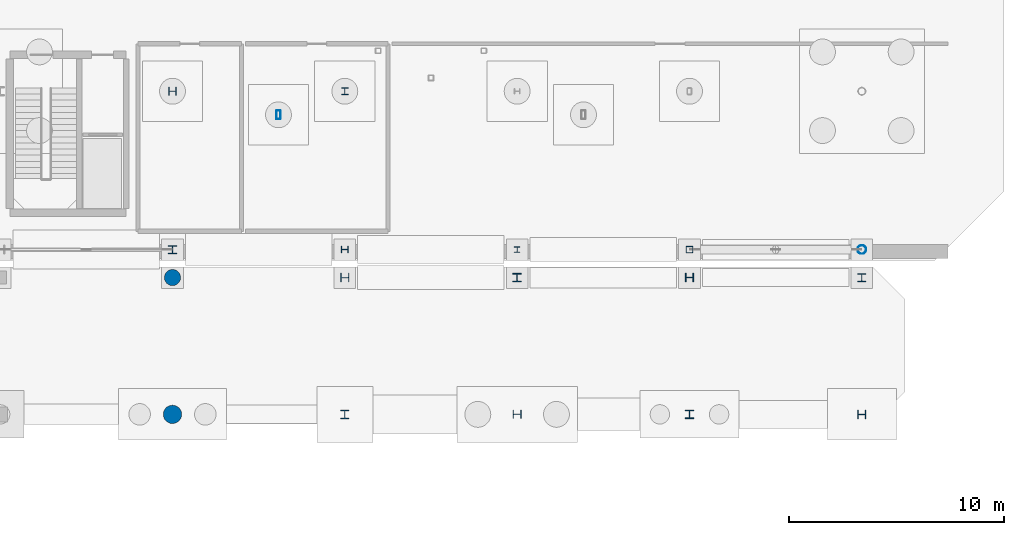
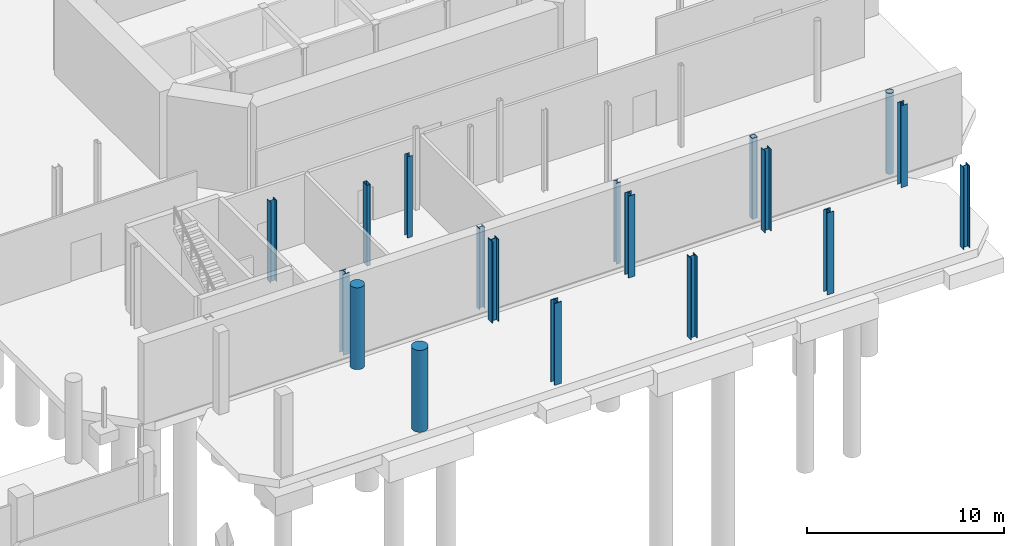
# One storey, part 9 of 33: 18 columns.
"""IFC4 building model written with IfcOpenShell, lengths in metres."""

from ifc_helpers import new_model, si_unit, direction, frame, origin, origin_2d, place, context, subcontext, project, spatial, hollow_rectangle, circle, hollow_circle, i_section, extrude, material, material_profile, profile_set, type_object, element, save


model = new_model("IFC4")

# Units and contexts
model_context = context("Model", 3, precision=1e-05, world=origin(), true_north=direction((0.0, 1.0)))
body_context = subcontext(model_context, "Body", "Model", "MODEL_VIEW")
ifc_project = project(units=[si_unit("LENGTHUNIT", "METRE"), si_unit("AREAUNIT", "SQUARE_METRE"), si_unit("VOLUMEUNIT", "CUBIC_METRE"), si_unit("PLANEANGLEUNIT", "RADIAN"), si_unit("MASSUNIT", "GRAM", prefix="KILO")], contexts=[model_context])

# Site, building, storey
site_placement = place(None, origin())
site = spatial("IfcSite", under=ifc_project, at=site_placement, CompositionType="ELEMENT")
building_placement = place(site_placement, origin())
building = spatial("IfcBuilding", under=site, at=building_placement, Name="Brisemont Oceanarium", CompositionType="ELEMENT")
storey_placement = place(building_placement, frame((0.0, 0.0, -5.39990234375)))
storey = spatial("IfcBuildingStorey", under=building, at=storey_placement, Name="B01", CompositionType="ELEMENT", Elevation=-5.39990234375)

# Columns
ifc_material_1 = material(Name="Structural Steel ASTM A500 Gr.C", Category="steel")
ifc_material_profile_1 = material_profile(ifc_material_1, hollow_circle(Radius=0.202880859375, WallThickness=0.01171875, at=origin_2d()), Name="HSS16.000X0.500")
ifc_profile_set_1 = profile_set([ifc_material_profile_1], Name="Structural Steel ASTM A500 Gr.C")
column_type_1 = type_object("IfcColumnType", Name="COL-CHS16", PredefinedType="COLUMN", material=ifc_profile_set_1)
column_1_placement = place(storey_placement, frame((104.0, 32.64990234375, 0.0), z_axis=(0.0, 0.0, 1.0), x_axis=(1.0, 0.0, 0.0)))
element("IfcColumn", 1, at=column_1_placement, inside=storey, type_object=column_type_1, Name="V1 B01 column (6,0)", PredefinedType="COLUMN", context=body_context, shape_type="SweptSolid", body=[
    extrude(hollow_circle(Radius=0.202880859375, WallThickness=0.01171875, at=origin_2d()), origin(), (0.0, 0.0, 1.0), 5.039794921875),
])
ifc_material_2 = material(Name="Structural Steel ASTM A500 Gr.C", Category="steel")
ifc_material_profile_2 = material_profile(ifc_material_2, hollow_rectangle(XDim=0.304931640625, YDim=0.304931640625, WallThickness=0.01171875, InnerFilletRadius=0.01220703125, OuterFilletRadius=0.02392578125, at=origin_2d()), Name="HSS12X12X1/2")
ifc_profile_set_2 = profile_set([ifc_material_profile_2], Name="Structural Steel ASTM A500 Gr.C")
column_type_2 = type_object("IfcColumnType", Name="COL-HSS12X12", PredefinedType="COLUMN", material=ifc_profile_set_2)
column_2_placement = place(storey_placement, frame((96.0, 32.64990234375, 0.0), z_axis=(0.0, 0.0, 1.0), x_axis=(0.0, 1.0, 0.0)))
element("IfcColumn", 2, at=column_2_placement, inside=storey, type_object=column_type_2, Name="V1 B01 column (5,0)", PredefinedType="COLUMN", context=body_context, shape_type="SweptSolid", body=[
    extrude(hollow_rectangle(XDim=0.304931640625, YDim=0.304931640625, WallThickness=0.01171875, InnerFilletRadius=0.01220703125, OuterFilletRadius=0.02392578125, at=origin_2d()), origin(), (0.0, 0.0, 1.0), 5.039794921875),
])
ifc_material_3 = material(Name="Structural Steel ASTM A500 Gr.C", Category="steel")
ifc_material_profile_3 = material_profile(ifc_material_3, hollow_rectangle(XDim=0.202880859375, YDim=0.406005859375, WallThickness=0.01171875, InnerFilletRadius=0.01220703125, OuterFilletRadius=0.02392578125, at=origin_2d()), Name="HSS16X8X1/2")
ifc_profile_set_3 = profile_set([ifc_material_profile_3], Name="Structural Steel ASTM A500 Gr.C")
column_type_3 = type_object("IfcColumnType", Name="COL-HSS16X8", PredefinedType="COLUMN", material=ifc_profile_set_3)
column_3_placement = place(storey_placement, frame((76.92041015625, 38.908203125, 0.0), z_axis=(0.0, 0.0, 1.0), x_axis=(1.0, 0.0, 0.0)))
element("IfcColumn", 3, at=column_3_placement, inside=storey, type_object=column_type_3, Name="V1 dome drum pier B01.6", PredefinedType="COLUMN", context=body_context, shape_type="SweptSolid", body=[
    extrude(hollow_rectangle(XDim=0.202880859375, YDim=0.406005859375, WallThickness=0.01171875, InnerFilletRadius=0.01220703125, OuterFilletRadius=0.02392578125, at=origin_2d()), origin(), (0.0, 0.0, 1.0), 5.02001953125),
])
ifc_material_4 = material(Name="Concrete C40/50", Category="concrete")
ifc_material_profile_4 = material_profile(ifc_material_4, circle(Radius=0.375, at=origin_2d()), Name="RC-COL-D750")
ifc_profile_set_4 = profile_set([ifc_material_profile_4], Name="Concrete C40/50")
column_type_4 = type_object("IfcColumnType", Name="COL-RCD750", PredefinedType="COLUMN", material=ifc_profile_set_4)
column_4_placement = place(storey_placement, frame((72.0, 31.35009765625, 0.0), z_axis=(0.0, 0.0, 1.0), x_axis=(1.0, 0.0, 0.0)))
element("IfcColumn", 4, at=column_4_placement, inside=storey, type_object=column_type_4, Name="V1P B01 column (1,1)", PredefinedType="COLUMN", context=body_context, shape_type="SweptSolid", body=[
    extrude(circle(Radius=0.375, at=origin_2d()), origin(), (0.0, 0.0, 1.0), 5.079833984375),
])
ifc_material_5 = material(Name="Concrete C40/50", Category="concrete")
ifc_material_profile_5 = material_profile(ifc_material_5, circle(Radius=0.425048828125, at=origin_2d()), Name="RC-COL-D850")
ifc_profile_set_5 = profile_set([ifc_material_profile_5], Name="Concrete C40/50")
column_type_5 = type_object("IfcColumnType", Name="COL-RCD850", PredefinedType="COLUMN", material=ifc_profile_set_5)
column_5_placement = place(storey_placement, frame((72.0, 25.0, 0.0), z_axis=(0.0, 0.0, 1.0), x_axis=(0.0, 1.0, 0.0)))
element("IfcColumn", 5, at=column_5_placement, inside=storey, type_object=column_type_5, Name="V1P B01 column (1,0)", PredefinedType="COLUMN", context=body_context, shape_type="SweptSolid", body=[
    extrude(circle(Radius=0.425048828125, at=origin_2d()), origin(), (0.0, 0.0, 1.0), 5.079833984375),
])
ifc_material_6 = material(Name="Structural Steel ASTM A992 Gr.50", Category="steel")
ifc_material_profile_6 = material_profile(ifc_material_6, i_section(OverallWidth=0.256103515625, OverallDepth=0.260009765625, WebThickness=0.0107421875, FlangeThickness=0.017333984375, FilletRadius=0.010986328125, at=origin_2d()), Name="W10X60")
ifc_profile_set_6 = profile_set([ifc_material_profile_6], Name="Structural Steel ASTM A992 Gr.50")
column_type_6 = type_object("IfcColumnType", Name="COL-W10X60", PredefinedType="COLUMN", material=ifc_profile_set_6)
column_6_placement = place(storey_placement, frame((88.0, 32.64990234375, 0.0), z_axis=(0.0, 0.0, 1.0), x_axis=(1.0, 0.0, 0.0)))
element("IfcColumn", 6, at=column_6_placement, inside=storey, type_object=column_type_6, Name="V1 B01 column (4,0)", PredefinedType="COLUMN", context=body_context, shape_type="SweptSolid", body=[
    extrude(i_section(OverallWidth=0.256103515625, OverallDepth=0.260009765625, WebThickness=0.0107421875, FlangeThickness=0.017333984375, FilletRadius=0.010986328125, at=origin_2d()), origin(), (0.0, 0.0, 1.0), 5.039794921875),
])
ifc_material_7 = material(Name="Structural Steel ASTM A992 Gr.50", Category="steel")
ifc_material_profile_7 = material_profile(ifc_material_7, i_section(OverallWidth=0.306884765625, OverallDepth=0.31494140625, WebThickness=0.011962890625, FlangeThickness=0.018798828125, FilletRadius=0.012939453125, at=origin_2d()), Name="W12X79")
ifc_profile_set_7 = profile_set([ifc_material_profile_7], Name="Structural Steel ASTM A992 Gr.50")
column_type_7 = type_object("IfcColumnType", Name="COL-W12X79", PredefinedType="COLUMN", material=ifc_profile_set_7)
column_7_placement = place(storey_placement, frame((80.0, 40.0, 0.0), z_axis=(0.0, 0.0, 1.0), x_axis=(1.0, 0.0, 0.0)))
element("IfcColumn", 7, at=column_7_placement, inside=storey, type_object=column_type_7, Name="V1 B01 column (3,1)", PredefinedType="COLUMN", context=body_context, shape_type="SweptSolid", body=[
    extrude(i_section(OverallWidth=0.306884765625, OverallDepth=0.31494140625, WebThickness=0.011962890625, FlangeThickness=0.018798828125, FilletRadius=0.012939453125, at=origin_2d()), origin(), (0.0, 0.0, 1.0), 5.039794921875),
])
ifc_material_8 = material(Name="Structural Steel ASTM A992 Gr.50", Category="steel")
ifc_material_profile_8 = material_profile(ifc_material_8, i_section(OverallWidth=0.30810546875, OverallDepth=0.318115234375, WebThickness=0.01318359375, FlangeThickness=0.0205078125, FilletRadius=0.012939453125, at=origin_2d()), Name="W12X87")
ifc_profile_set_8 = profile_set([ifc_material_profile_8], Name="Structural Steel ASTM A992 Gr.50")
column_type_8 = type_object("IfcColumnType", Name="COL-W12X87", PredefinedType="COLUMN", material=ifc_profile_set_8)
column_8_placement = place(storey_placement, frame((80.0, 32.64990234375, 0.0), z_axis=(0.0, 0.0, 1.0), x_axis=(0.0, 1.0, 0.0)))
element("IfcColumn", 8, at=column_8_placement, inside=storey, type_object=column_type_8, Name="V1 B01 column (3,0)", PredefinedType="COLUMN", context=body_context, shape_type="SweptSolid", body=[
    extrude(i_section(OverallWidth=0.30810546875, OverallDepth=0.318115234375, WebThickness=0.01318359375, FlangeThickness=0.0205078125, FilletRadius=0.012939453125, at=origin_2d()), origin(), (0.0, 0.0, 1.0), 5.039794921875),
])
ifc_material_9 = material(Name="Structural Steel ASTM A992 Gr.50", Category="steel")
ifc_material_profile_9 = material_profile(ifc_material_9, i_section(OverallWidth=0.37109375, OverallDepth=0.364013671875, WebThickness=0.01318359375, FlangeThickness=0.021728515625, FilletRadius=0.014892578125, at=origin_2d()), Name="W14X109")
ifc_profile_set_9 = profile_set([ifc_material_profile_9], Name="Structural Steel ASTM A992 Gr.50")
column_type_9 = type_object("IfcColumnType", Name="COL-W14X109", PredefinedType="COLUMN", material=ifc_profile_set_9)
column_9_placement = place(storey_placement, frame((72.0, 40.0, 0.0), z_axis=(0.0, 0.0, 1.0), x_axis=(0.0, 1.0, 0.0)))
element("IfcColumn", 9, at=column_9_placement, inside=storey, type_object=column_type_9, Name="V1 B01 column (2,1)", PredefinedType="COLUMN", context=body_context, shape_type="SweptSolid", body=[
    extrude(i_section(OverallWidth=0.37109375, OverallDepth=0.364013671875, WebThickness=0.01318359375, FlangeThickness=0.021728515625, FilletRadius=0.014892578125, at=origin_2d()), origin(), (0.0, 0.0, 1.0), 5.039794921875),
])
ifc_material_10 = material(Name="Structural Steel ASTM A992 Gr.50", Category="steel")
ifc_material_profile_10 = material_profile(ifc_material_10, i_section(OverallWidth=0.373046875, OverallDepth=0.367919921875, WebThickness=0.014892578125, FlangeThickness=0.02392578125, FilletRadius=0.014892578125, at=origin_2d()), Name="W14X120")
ifc_profile_set_10 = profile_set([ifc_material_profile_10], Name="Structural Steel ASTM A992 Gr.50")
column_type_10 = type_object("IfcColumnType", Name="COL-W14X120", PredefinedType="COLUMN", material=ifc_profile_set_10)
column_10_placement = place(storey_placement, frame((72.0, 32.64990234375, 0.0), z_axis=(0.0, 0.0, 1.0), x_axis=(1.0, 0.0, 0.0)))
element("IfcColumn", 10, at=column_10_placement, inside=storey, type_object=column_type_10, Name="V1 B01 column (2,0)", PredefinedType="COLUMN", context=body_context, shape_type="SweptSolid", body=[
    extrude(i_section(OverallWidth=0.373046875, OverallDepth=0.367919921875, WebThickness=0.014892578125, FlangeThickness=0.02392578125, FilletRadius=0.014892578125, at=origin_2d()), origin(), (0.0, 0.0, 1.0), 5.039794921875),
])
ifc_material_11 = material(Name="Structural Steel ASTM A992 Gr.50", Category="steel")
ifc_material_profile_11 = material_profile(ifc_material_11, i_section(OverallWidth=0.3740234375, OverallDepth=0.3720703125, WebThickness=0.016357421875, FlangeThickness=0.026123046875, FilletRadius=0.014892578125, at=origin_2d()), Name="W14X132")
ifc_profile_set_11 = profile_set([ifc_material_profile_11], Name="Structural Steel ASTM A992 Gr.50")
column_type_11 = type_object("IfcColumnType", Name="COL-W14X132", PredefinedType="COLUMN", material=ifc_profile_set_11)
column_11_placement = place(storey_placement, frame((104.0, 31.35009765625, 0.0), z_axis=(0.0, 0.0, 1.0), x_axis=(1.0, 0.0, 0.0)))
element("IfcColumn", 11, at=column_11_placement, inside=storey, type_object=column_type_11, Name="V1P B01 column (5,1)", PredefinedType="COLUMN", context=body_context, shape_type="SweptSolid", body=[
    extrude(i_section(OverallWidth=0.3740234375, OverallDepth=0.3720703125, WebThickness=0.016357421875, FlangeThickness=0.026123046875, FilletRadius=0.014892578125, at=origin_2d()), origin(), (0.0, 0.0, 1.0), 5.079833984375),
])
ifc_material_12 = material(Name="Structural Steel ASTM A992 Gr.50", Category="steel")
ifc_material_profile_12 = material_profile(ifc_material_12, i_section(OverallWidth=0.39404296875, OverallDepth=0.3759765625, WebThickness=0.017333984375, FlangeThickness=0.027587890625, FilletRadius=0.014892578125, at=origin_2d()), Name="W14X145")
ifc_profile_set_12 = profile_set([ifc_material_profile_12], Name="Structural Steel ASTM A992 Gr.50")
column_type_12 = type_object("IfcColumnType", Name="COL-W14X145", PredefinedType="COLUMN", material=ifc_profile_set_12)
column_12_placement = place(storey_placement, frame((104.0, 25.0, 0.0), z_axis=(0.0, 0.0, 1.0), x_axis=(0.0, 1.0, 0.0)))
element("IfcColumn", 12, at=column_12_placement, inside=storey, type_object=column_type_12, Name="V1P B01 column (5,0)", PredefinedType="COLUMN", context=body_context, shape_type="SweptSolid", body=[
    extrude(i_section(OverallWidth=0.39404296875, OverallDepth=0.3759765625, WebThickness=0.017333984375, FlangeThickness=0.027587890625, FilletRadius=0.014892578125, at=origin_2d()), origin(), (0.0, 0.0, 1.0), 5.079833984375),
])
ifc_material_13 = material(Name="Structural Steel ASTM A992 Gr.50", Category="steel")
ifc_material_profile_13 = material_profile(ifc_material_13, i_section(OverallWidth=0.39501953125, OverallDepth=0.3798828125, WebThickness=0.018798828125, FlangeThickness=0.0302734375, FilletRadius=0.014892578125, at=origin_2d()), Name="W14X159")
ifc_profile_set_13 = profile_set([ifc_material_profile_13], Name="Structural Steel ASTM A992 Gr.50")
column_type_13 = type_object("IfcColumnType", Name="COL-W14X159", PredefinedType="COLUMN", material=ifc_profile_set_13)
column_13_placement = place(storey_placement, frame((96.0, 31.35009765625, 0.0), z_axis=(0.0, 0.0, 1.0), x_axis=(0.0, 1.0, 0.0)))
element("IfcColumn", 13, at=column_13_placement, inside=storey, type_object=column_type_13, Name="V1P B01 column (4,1)", PredefinedType="COLUMN", context=body_context, shape_type="SweptSolid", body=[
    extrude(i_section(OverallWidth=0.39501953125, OverallDepth=0.3798828125, WebThickness=0.018798828125, FlangeThickness=0.0302734375, FilletRadius=0.014892578125, at=origin_2d()), origin(), (0.0, 0.0, 1.0), 5.079833984375),
])
ifc_material_14 = material(Name="Structural Steel ASTM A992 Gr.50", Category="steel")
ifc_material_profile_14 = material_profile(ifc_material_14, i_section(OverallWidth=0.39892578125, OverallDepth=0.385986328125, WebThickness=0.02099609375, FlangeThickness=0.033203125, FilletRadius=0.014892578125, at=origin_2d()), Name="W14X176")
ifc_profile_set_14 = profile_set([ifc_material_profile_14], Name="Structural Steel ASTM A992 Gr.50")
column_type_14 = type_object("IfcColumnType", Name="COL-W14X176", PredefinedType="COLUMN", material=ifc_profile_set_14)
column_14_placement = place(storey_placement, frame((96.0, 25.0, 0.0), z_axis=(0.0, 0.0, 1.0), x_axis=(1.0, 0.0, 0.0)))
element("IfcColumn", 14, at=column_14_placement, inside=storey, type_object=column_type_14, Name="V1P B01 column (4,0)", PredefinedType="COLUMN", context=body_context, shape_type="SweptSolid", body=[
    extrude(i_section(OverallWidth=0.39892578125, OverallDepth=0.385986328125, WebThickness=0.02099609375, FlangeThickness=0.033203125, FilletRadius=0.014892578125, at=origin_2d()), origin(), (0.0, 0.0, 1.0), 5.079833984375),
])
ifc_material_15 = material(Name="Structural Steel ASTM A992 Gr.50", Category="steel")
ifc_material_profile_15 = material_profile(ifc_material_15, i_section(OverallWidth=0.39990234375, OverallDepth=0.39306640625, WebThickness=0.022705078125, FlangeThickness=0.03662109375, FilletRadius=0.014892578125, at=origin_2d()), Name="W14X193")
ifc_profile_set_15 = profile_set([ifc_material_profile_15], Name="Structural Steel ASTM A992 Gr.50")
column_type_15 = type_object("IfcColumnType", Name="COL-W14X193", PredefinedType="COLUMN", material=ifc_profile_set_15)
column_15_placement = place(storey_placement, frame((88.0, 31.35009765625, 0.0), z_axis=(0.0, 0.0, 1.0), x_axis=(1.0, 0.0, 0.0)))
element("IfcColumn", 15, at=column_15_placement, inside=storey, type_object=column_type_15, Name="V1P B01 column (3,1)", PredefinedType="COLUMN", context=body_context, shape_type="SweptSolid", body=[
    extrude(i_section(OverallWidth=0.39990234375, OverallDepth=0.39306640625, WebThickness=0.022705078125, FlangeThickness=0.03662109375, FilletRadius=0.014892578125, at=origin_2d()), origin(), (0.0, 0.0, 1.0), 5.079833984375),
])
ifc_material_16 = material(Name="Structural Steel ASTM A992 Gr.50", Category="steel")
ifc_material_profile_16 = material_profile(ifc_material_16, i_section(OverallWidth=0.40087890625, OverallDepth=0.39892578125, WebThickness=0.02490234375, FlangeThickness=0.03955078125, FilletRadius=0.014892578125, at=origin_2d()), Name="W14X211")
ifc_profile_set_16 = profile_set([ifc_material_profile_16], Name="Structural Steel ASTM A992 Gr.50")
column_type_16 = type_object("IfcColumnType", Name="COL-W14X211", PredefinedType="COLUMN", material=ifc_profile_set_16)
column_16_placement = place(storey_placement, frame((88.0, 25.0, 0.0), z_axis=(0.0, 0.0, 1.0), x_axis=(0.0, 1.0, 0.0)))
element("IfcColumn", 16, at=column_16_placement, inside=storey, type_object=column_type_16, Name="V1P B01 column (3,0)", PredefinedType="COLUMN", context=body_context, shape_type="SweptSolid", body=[
    extrude(i_section(OverallWidth=0.40087890625, OverallDepth=0.39892578125, WebThickness=0.02490234375, FlangeThickness=0.03955078125, FilletRadius=0.014892578125, at=origin_2d()), origin(), (0.0, 0.0, 1.0), 5.079833984375),
])
ifc_material_17 = material(Name="Structural Steel ASTM A992 Gr.50", Category="steel")
ifc_material_profile_17 = material_profile(ifc_material_17, i_section(OverallWidth=0.404052734375, OverallDepth=0.406982421875, WebThickness=0.027099609375, FlangeThickness=0.043701171875, FilletRadius=0.014892578125, at=origin_2d()), Name="W14X233")
ifc_profile_set_17 = profile_set([ifc_material_profile_17], Name="Structural Steel ASTM A992 Gr.50")
column_type_17 = type_object("IfcColumnType", Name="COL-W14X233", PredefinedType="COLUMN", material=ifc_profile_set_17)
column_17_placement = place(storey_placement, frame((80.0, 31.35009765625, 0.0), z_axis=(0.0, 0.0, 1.0), x_axis=(0.0, 1.0, 0.0)))
element("IfcColumn", 17, at=column_17_placement, inside=storey, type_object=column_type_17, Name="V1P B01 column (2,1)", PredefinedType="COLUMN", context=body_context, shape_type="SweptSolid", body=[
    extrude(i_section(OverallWidth=0.404052734375, OverallDepth=0.406982421875, WebThickness=0.027099609375, FlangeThickness=0.043701171875, FilletRadius=0.014892578125, at=origin_2d()), origin(), (0.0, 0.0, 1.0), 5.079833984375),
])
ifc_material_18 = material(Name="Structural Steel ASTM A992 Gr.50", Category="steel")
ifc_material_profile_18 = material_profile(ifc_material_18, i_section(OverallWidth=0.406005859375, OverallDepth=0.416015625, WebThickness=0.02978515625, FlangeThickness=0.048095703125, FilletRadius=0.014892578125, at=origin_2d()), Name="W14X257")
ifc_profile_set_18 = profile_set([ifc_material_profile_18], Name="Structural Steel ASTM A992 Gr.50")
column_type_18 = type_object("IfcColumnType", Name="COL-W14X257", PredefinedType="COLUMN", material=ifc_profile_set_18)
column_18_placement = place(storey_placement, frame((80.0, 25.0, 0.0), z_axis=(0.0, 0.0, 1.0), x_axis=(1.0, 0.0, 0.0)))
element("IfcColumn", 18, at=column_18_placement, inside=storey, type_object=column_type_18, Name="V1P B01 column (2,0)", PredefinedType="COLUMN", context=body_context, shape_type="SweptSolid", body=[
    extrude(i_section(OverallWidth=0.406005859375, OverallDepth=0.416015625, WebThickness=0.02978515625, FlangeThickness=0.048095703125, FilletRadius=0.014892578125, at=origin_2d()), origin(), (0.0, 0.0, 1.0), 5.079833984375),
])

save(model, "model.ifc")
